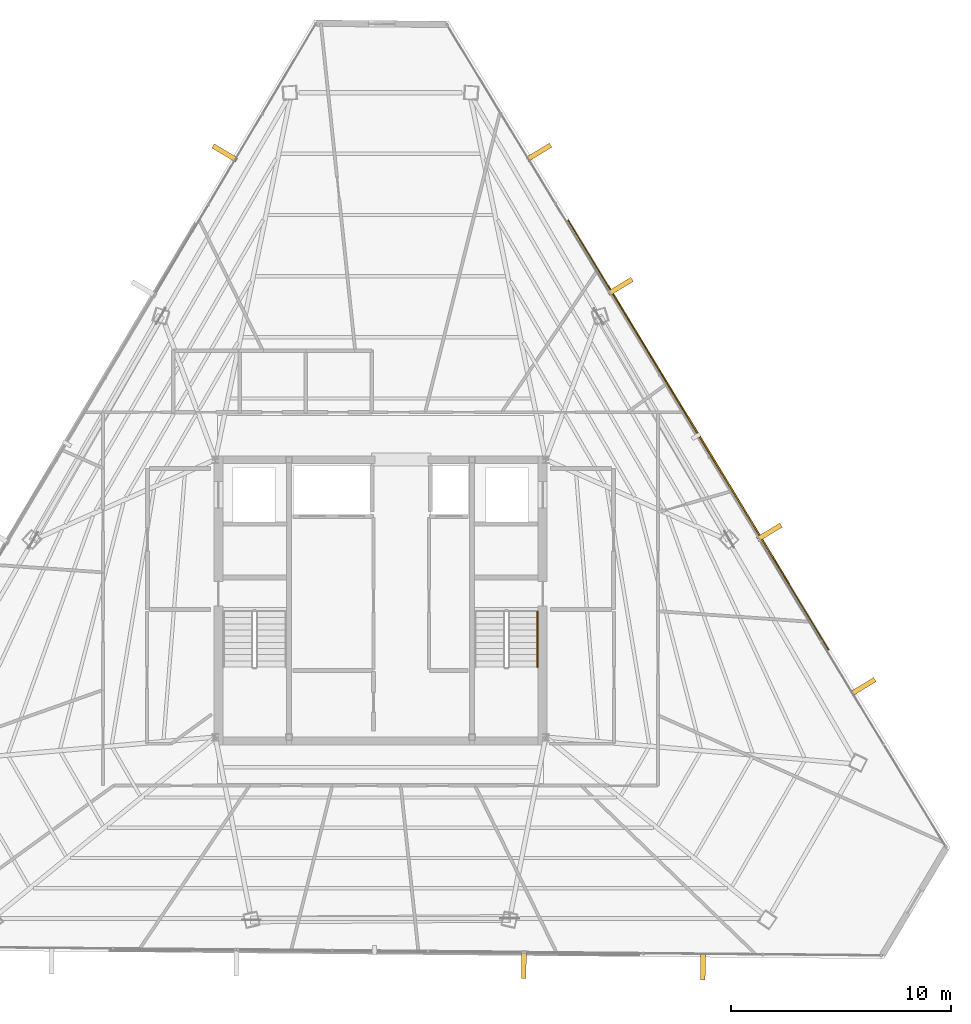
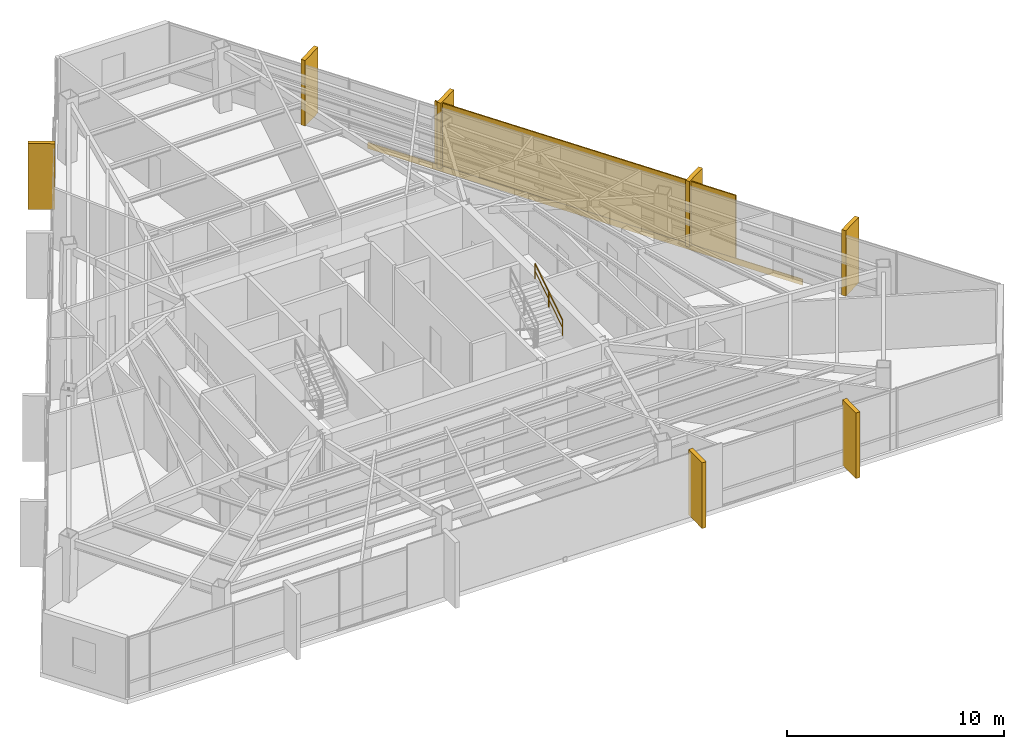
# One storey, part 42 of 42: 8 coverings, 1 railing, 1 shading device.
"""IFC4 building model written with IfcOpenShell, lengths in metres."""

from ifc_helpers import new_model, si_unit, direction, frame, origin, origin_2d, place, context, subcontext, project, spatial, rectangle, extrude, source, transform, mapped, material, layer, layer_set, type_object, type_shapes, element, save


model = new_model("IFC4")

# Units and contexts
model_context = context("Model", 3, precision=1e-05, world=origin(), true_north=direction((0.0, 1.0)))
body_context = subcontext(model_context, "Body", "Model", "MODEL_VIEW")
ifc_project = project(units=[si_unit("LENGTHUNIT", "METRE"), si_unit("AREAUNIT", "SQUARE_METRE"), si_unit("VOLUMEUNIT", "CUBIC_METRE"), si_unit("PLANEANGLEUNIT", "RADIAN"), si_unit("MASSUNIT", "GRAM", prefix="KILO")], contexts=[model_context])

# Site, building, storey
site_placement = place(None, origin())
site = spatial("IfcSite", under=ifc_project, at=site_placement, CompositionType="ELEMENT")
building_placement = place(site_placement, origin())
building = spatial("IfcBuilding", under=site, at=building_placement, Name="Caelisora Broadcast Tower", CompositionType="ELEMENT")
storey_placement = place(building_placement, frame((0.0, 0.0, 244.449951171875)))
storey = spatial("IfcBuildingStorey", under=building, at=storey_placement, Name="L64", CompositionType="ELEMENT", Elevation=244.449951171875)

# Railing
ifc_material_1 = material(Name="Stainless Steel Grade 316 Tubular Handrail", Category="steel")
ifc_layer_1 = layer(ifc_material_1, 0.048095703125, Name="Stainless Steel Grade 316 Tubular Handrail")
ifc_layer_set_1 = layer_set([ifc_layer_1], Name="Stainless Steel Grade 316 Tubular Handrail")
railing_type = type_object("IfcRailingType", Name="HR-1", PredefinedType="HANDRAIL", material=ifc_layer_set_1)
railing_placement = place(storey_placement, frame((45.1298828125, 20.580078125, 2.007568359375)))
element("IfcRailing", 1, at=railing_placement, inside=storey, type_object=railing_type, Name="L64 ST-2 stair handrail 2", PredefinedType="HANDRAIL", context=body_context, shape_type="SweptSolid", body=[
    extrude(rectangle(XDim=0.048095703125, YDim=0.048095703125, at=origin_2d()), frame((0.0, 0.0, 0.8759765625), z_axis=(0.0, 0.837749427056, 0.546054848405), x_axis=(-1.0, 0.0, 0.0)), (0.0, 0.0, 1.0), 3.008056640625),
    extrude(rectangle(XDim=0.03125, YDim=0.03125, at=origin_2d()), frame((0.0, 0.0, 0.449951171875), z_axis=(0.0, 0.837749427056, 0.546054848405), x_axis=(-1.0, 0.0, 0.0)), (0.0, 0.0, 1.0), 3.008056640625),
    extrude(rectangle(XDim=0.0419921875, YDim=0.0419921875, at=origin_2d()), origin(), (0.0, 0.0, 1.0), 0.851806640625),
    extrude(rectangle(XDim=0.0419921875, YDim=0.0419921875, at=origin_2d()), frame((0.0, 1.260009765625, 0.8212890625)), (0.0, 0.0, 1.0), 0.851806640625),
    extrude(rectangle(XDim=0.0419921875, YDim=0.0419921875, at=origin_2d()), frame((0.0, 2.52001953125, 1.642578125)), (0.0, 0.0, 1.0), 0.851806640625),
])

# Coverings
ifc_material_2 = material(Name="Kiln-Fired Terracotta Spandrel Rainscreen Cladding", Category="ceramic")
ifc_layer_2 = layer(ifc_material_2, 0.044921875, Name="Kiln-Fired Terracotta Spandrel Rainscreen Cladding")
ifc_layer_set_2 = layer_set([ifc_layer_2], Name="Kiln-Fired Terracotta Spandrel Rainscreen Cladding")
covering_type = type_object("IfcCoveringType", Name="CL-1", PredefinedType="CLADDING", material=ifc_layer_set_2)
shared_shape_1 = source(origin(), body_context, "Body", "SweptSolid", [
    extrude(rectangle(XDim=0.219970703125, YDim=1.25, at=origin_2d()), origin(), (0.0, 0.0, 1.0), 3.68994140625),
])
for number, where, z_axis, x_axis, name in (
    (2, (45.1904296875, 43.953125, -0.02001953125), (0.0, 0.0, 1.0), (0.518773258161, -0.854911870673, 0.0), "L64 vertical solar fin cladding #1-1"),
    (3, (48.88818359375, 37.858642578125, -0.02001953125), (0.0, 0.0, 1.0), (0.518773258161, -0.854911870673, 0.0), "L64 vertical solar fin cladding #1-2"),
    (4, (55.6572265625, 26.702392578125, -0.02001953125), (0.0, 0.0, 1.0), (0.518773258161, -0.854911870673, 0.0), "L64 vertical solar fin cladding #1-3"),
    (5, (59.9130859375, 19.6884765625, -0.02001953125), (0.0, 0.0, 1.0), (0.518773258161, -0.854911870673, 0.0), "L64 vertical solar fin cladding #1-4"),
    (6, (52.639404296875, 6.997314453125, -0.02001953125), (0.0, 0.0, 1.0), (-0.999958816008, 0.009075587519, 0.0), "L64 vertical solar fin cladding #2-1"),
    (7, (44.5078125, 7.070556640625, -0.02001953125), (0.0, 0.0, 1.0), (-0.999958816008, 0.009075587519, 0.0), "L64 vertical solar fin cladding #2-2"),
    (8, (30.930908203125, 43.925048828125, -0.02001953125), (0.0, 0.0, 1.0), (0.510993065504, 0.859584834096, 0.0), "L64 vertical solar fin cladding #3-4"),
):
    element("IfcCovering", number, at=place(storey_placement, frame(where, z_axis=z_axis, x_axis=x_axis)), inside=storey, type_object=covering_type, Name=name, PredefinedType="CLADDING", context=body_context, shape_type="MappedRepresentation", body=[
        mapped(shared_shape_1, transform((0.0, 0.0, 0.0), scale=1.0)),
    ])

# Shading device
ifc_material_3 = material(Name="Perforated Glazed Terracotta Baguette Solar Screen", Category="ceramic")
ifc_layer_3 = layer(ifc_material_3, 0.06494140625, Name="Perforated Glazed Terracotta Baguette Solar Screen")
ifc_layer_set_3 = layer_set([ifc_layer_3], Name="Perforated Glazed Terracotta Baguette Solar Screen")
shading_device_type = type_object("IfcShadingDeviceType", Name="SS-1", PredefinedType="USERDEFINED", material=ifc_layer_set_3)
shared_shape_2 = source(origin(), body_context, "Body", "SweptSolid", [
    extrude(rectangle(XDim=15.800048828125, YDim=0.06494140625, at=origin_2d()), origin(), (0.0, 0.0, 1.0), 3.590087890625),
])
type_shapes(shading_device_type, [shared_shape_2])
shading_device_placement = place(storey_placement, frame((52.44775390625, 31.124755859375, 0.0), z_axis=(0.0, 0.0, 1.0), x_axis=(-0.518773258161, 0.854911870673, 0.0)))
element("IfcShadingDevice", 9, at=shading_device_placement, inside=storey, type_object=shading_device_type, Name="L64 perforated terracotta solar screen #3", ObjectType="SOLAR SCREEN", PredefinedType="USERDEFINED", context=body_context, shape_type="MappedRepresentation", body=[
    mapped(shared_shape_2, transform((0.0, 0.0, 0.0), scale=1.0)),
])

# Covering
shared_shape_3 = source(origin(), body_context, "Body", "SweptSolid", [
    extrude(rectangle(XDim=22.822021484375, YDim=0.044921875, at=origin_2d()), origin(), (0.0, 0.0, 1.0), 0.340087890625),
])
type_shapes(covering_type, [shared_shape_1, shared_shape_3])
covering_placement = place(storey_placement, frame((52.4306640625, 31.114501953125, -0.27001953125), z_axis=(0.0, 0.0, 1.0), x_axis=(-0.518773258161, 0.854911870673, 0.0)))
element("IfcCovering", 10, at=covering_placement, inside=storey, type_object=covering_type, Name="L64 terracotta spandrel rainscreen #3", PredefinedType="CLADDING", context=body_context, shape_type="MappedRepresentation", body=[
    mapped(shared_shape_3, transform((0.0, 0.0, 0.0), scale=1.0)),
])

save(model, "model.ifc")
